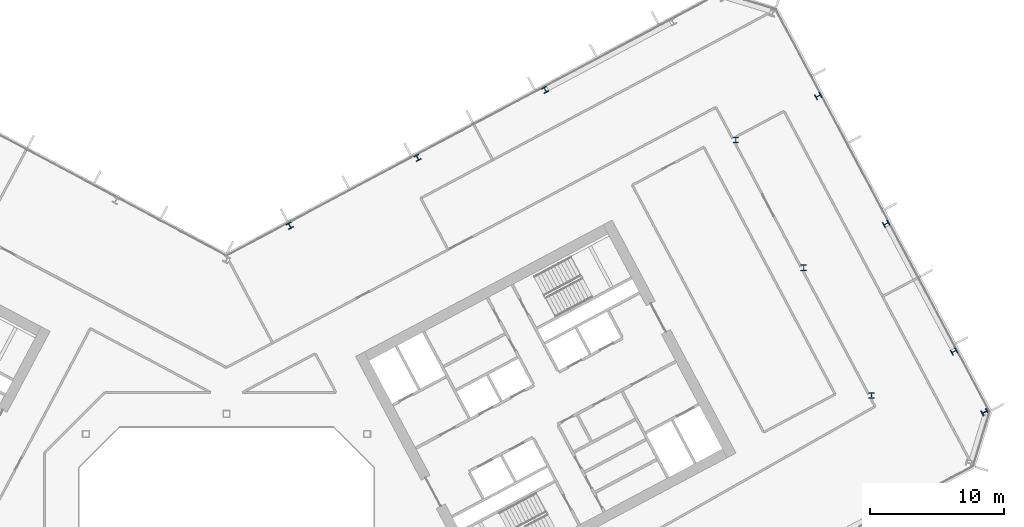
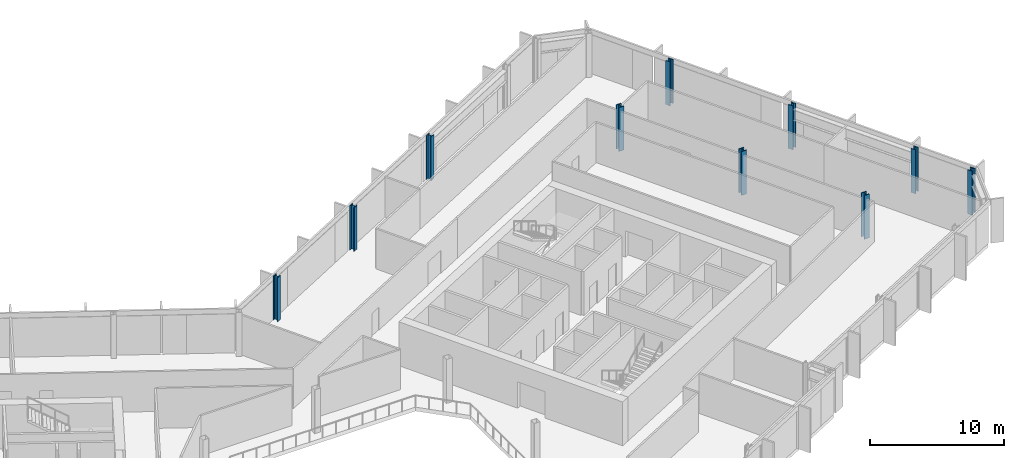
# One storey, part 7 of 28: 10 columns.
"""IFC4 building model written with IfcOpenShell, lengths in metres."""

from ifc_helpers import new_model, si_unit, direction, frame, origin, origin_2d, place, context, subcontext, project, spatial, i_section, extrude, material, material_profile, profile_set, type_object, element, save


model = new_model("IFC4")

# Units and contexts
model_context = context("Model", 3, precision=1e-05, world=origin(), true_north=direction((0.0, 1.0)))
body_context = subcontext(model_context, "Body", "Model", "MODEL_VIEW")
ifc_project = project(units=[si_unit("LENGTHUNIT", "METRE"), si_unit("AREAUNIT", "SQUARE_METRE"), si_unit("VOLUMEUNIT", "CUBIC_METRE"), si_unit("PLANEANGLEUNIT", "RADIAN"), si_unit("MASSUNIT", "GRAM", prefix="KILO")], contexts=[model_context])

# Site, building, storey
site_placement = place(None, origin())
site = spatial("IfcSite", under=ifc_project, at=site_placement, CompositionType="ELEMENT")
building_placement = place(site_placement, origin())
building = spatial("IfcBuilding", under=site, at=building_placement, Name="Cormorant Relay Tower", CompositionType="ELEMENT")
storey_placement = place(building_placement, frame((0.0, 0.0, 150.199951171875)))
storey = spatial("IfcBuildingStorey", under=building, at=storey_placement, Name="L31", CompositionType="ELEMENT", Elevation=150.199951171875)

# Columns
ifc_material_1 = material(Name="Steel ASTM A992 (Fy 345 MPa)", Category="steel")
ifc_material_profile_1 = material_profile(ifc_material_1, i_section(OverallWidth=0.41162109375, OverallDepth=0.434326171875, WebThickness=0.035888671875, FlangeThickness=0.057373046875, FilletRadius=0.01513671875, at=origin_2d()), Name="W360x463")
ifc_profile_set_1 = profile_set([ifc_material_profile_1], Name="Steel ASTM A992 (Fy 345 MPa)")
column_type_1 = type_object("IfcColumnType", Name="Column W360x463", PredefinedType="COLUMN", material=ifc_profile_set_1)
for number, where, z_axis, x_axis, name in (
    (1, (54.321044921875, 16.65087890625, 0.0), (0.0, 0.0, 1.0), (-0.469471562786, 0.882947592859, 0.0), "Column L31-029"),
    (2, (4.72509765625, 26.047119140625, 0.0), (0.0, 0.0, 1.0), (-0.882947592859, -0.469471562786, 0.0), "Column L31-034"),
    (3, (49.2509765625, 26.18701171875, 0.0), (0.0, 0.0, 1.0), (-0.469471562786, 0.882947592859, 0.0), "Column L31-035"),
    (4, (14.260986328125, 31.116943359375, 0.0), (0.0, 0.0, 1.0), (-0.882947592859, -0.469471562786, 0.0), "Column L31-038"),
    (5, (44.180908203125, 35.722900390625, 0.0), (0.0, 0.0, 1.0), (-0.469471562786, 0.882947592859, 0.0), "Column L31-042"),
    (6, (23.7958984375, 36.18798828125, 0.0), (0.0, 0.0, 1.0), (-0.882947592859, -0.469471562786, 0.0), "Column L31-043"),
):
    element("IfcColumn", number, at=place(storey_placement, frame(where, z_axis=z_axis, x_axis=x_axis)), inside=storey, type_object=column_type_1, Name=name, PredefinedType="COLUMN", context=body_context, shape_type="SweptSolid", body=[
        extrude(i_section(OverallWidth=0.41162109375, OverallDepth=0.434326171875, WebThickness=0.035888671875, FlangeThickness=0.057373046875, FilletRadius=0.01513671875, at=origin_2d()), origin(), (0.0, 0.0, 1.0), 4.0),
    ])
ifc_material_2 = material(Name="Steel ASTM A992 (Fy 345 MPa)", Category="steel")
ifc_material_profile_2 = material_profile(ifc_material_2, i_section(OverallWidth=0.42431640625, OverallDepth=0.47509765625, WebThickness=0.0478515625, FlangeThickness=0.0771484375, FilletRadius=0.014892578125, at=origin_2d()), Name="W360x634")
ifc_profile_set_2 = profile_set([ifc_material_profile_2], Name="Steel ASTM A992 (Fy 345 MPa)")
column_type_2 = type_object("IfcColumnType", Name="Column W360x634", PredefinedType="COLUMN", material=ifc_profile_set_2)
for number, where, z_axis, x_axis, name in (
    (7, (56.60791015625, 12.1298828125, 0.0), (0.0, 0.0, 1.0), (-0.469471562786, 0.882947592859, 0.0), "Column L31-026"),
    (8, (48.157958984375, 13.3740234375, 0.0), (0.0, 0.0, 1.0), (1.0, 0.0, 0.0), "Column L31-027"),
    (9, (43.087890625, 22.909912109375, 0.0), (0.0, 0.0, 1.0), (1.0, 0.0, 0.0), "Column L31-031"),
    (10, (38.01806640625, 32.446044921875, 0.0), (0.0, 0.0, 1.0), (1.0, 0.0, 0.0), "Column L31-039"),
):
    element("IfcColumn", number, at=place(storey_placement, frame(where, z_axis=z_axis, x_axis=x_axis)), inside=storey, type_object=column_type_2, Name=name, PredefinedType="COLUMN", context=body_context, shape_type="SweptSolid", body=[
        extrude(i_section(OverallWidth=0.42431640625, OverallDepth=0.47509765625, WebThickness=0.0478515625, FlangeThickness=0.0771484375, FilletRadius=0.014892578125, at=origin_2d()), origin(), (0.0, 0.0, 1.0), 4.0),
    ])

save(model, "model.ifc")
